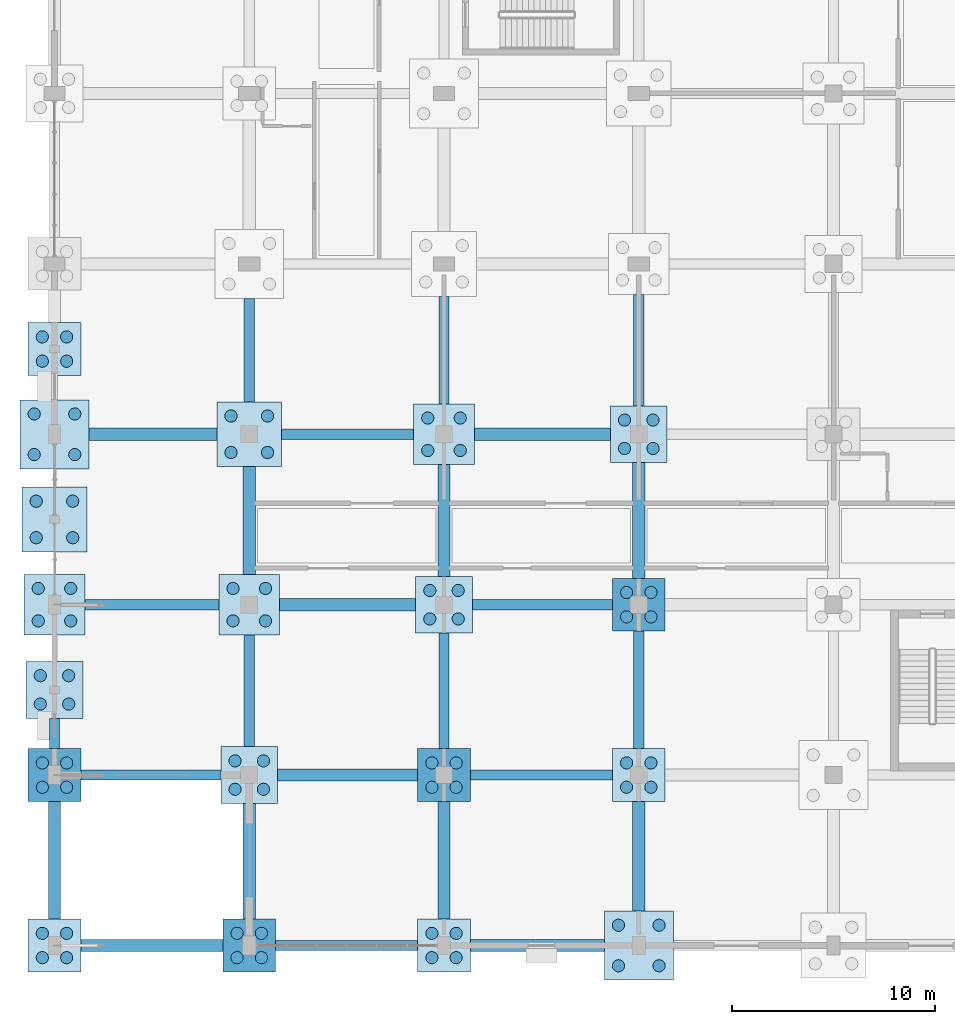
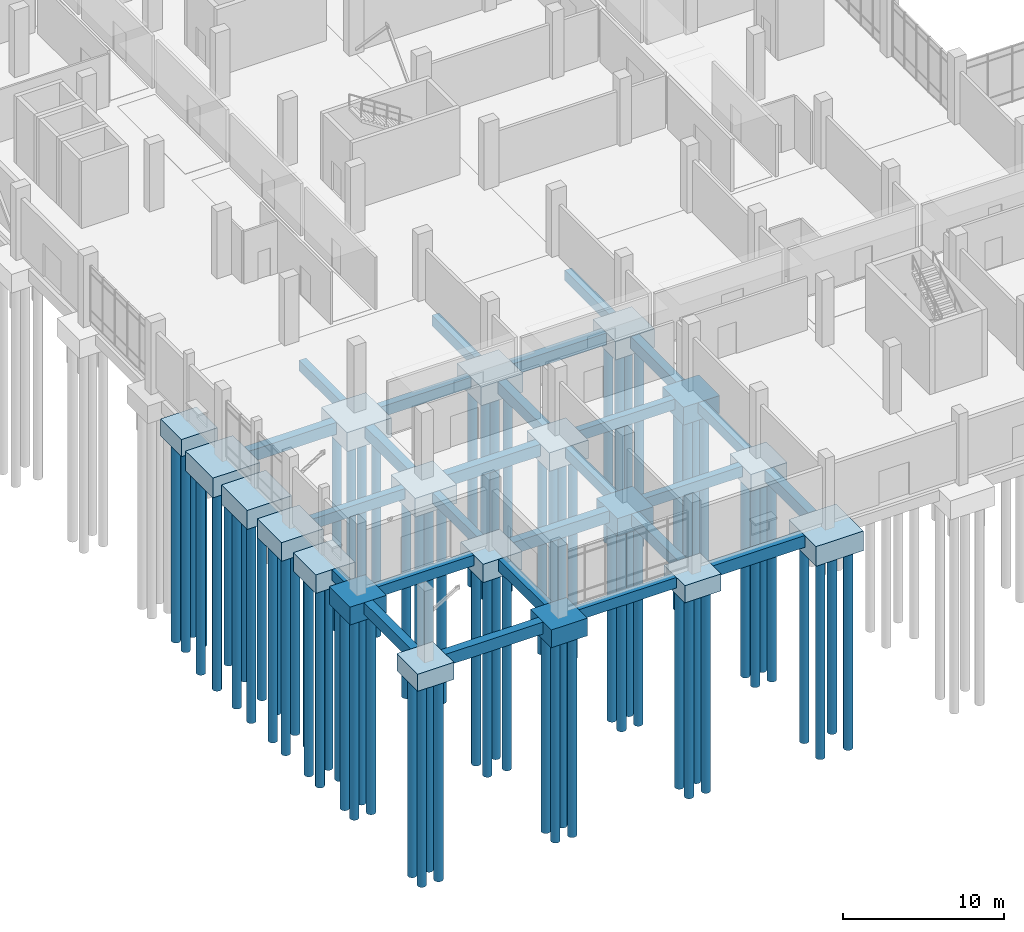
# One storey, part 1 of 136: 76 piles, 45 footings.
"""IFC4 building model written with IfcOpenShell, lengths in metres."""

from ifc_helpers import new_model, si_unit, direction, frame, origin, origin_2d, place, context, subcontext, project, spatial, rectangle, circle, extrude, material, material_profile, profile_set, type_object, element, save


model = new_model("IFC4")

# Units and contexts
model_context = context("Model", 3, precision=1e-05, world=origin(), true_north=direction((0.0, 1.0)))
body_context = subcontext(model_context, "Body", "Model", "MODEL_VIEW")
ifc_project = project(units=[si_unit("LENGTHUNIT", "METRE"), si_unit("AREAUNIT", "SQUARE_METRE"), si_unit("VOLUMEUNIT", "CUBIC_METRE"), si_unit("PLANEANGLEUNIT", "RADIAN"), si_unit("MASSUNIT", "GRAM", prefix="KILO")], contexts=[model_context])

# Site, building, storey
site_placement = place(None, origin())
site = spatial("IfcSite", under=ifc_project, at=site_placement, CompositionType="ELEMENT")
building_placement = place(site_placement, origin())
building = spatial("IfcBuilding", under=site, at=building_placement, Name="Oolite Switchyard Hospital", CompositionType="ELEMENT")
storey_placement = place(building_placement, origin())
storey = spatial("IfcBuildingStorey", under=building, at=storey_placement, Name="L00", CompositionType="ELEMENT", Elevation=0.0)

# Footings
ifc_material = material(Name="Concrete C40/50", Category="concrete")
footing_type_1 = type_object("IfcFootingType", Name="FTG-GB500X800", PredefinedType="FOOTING_BEAM", material=ifc_material)
footing_1_placement = place(storey_placement, frame((14.39990234375, 0.0, -1.14990234375), z_axis=(0.0, 0.0, 1.0), x_axis=(1.0, 0.0, 0.0)))
element("IfcFooting", 1, at=footing_1_placement, inside=storey, type_object=footing_type_1, Name="L00 Grade Beam 2", PredefinedType="FOOTING_BEAM", context=body_context, shape_type="SweptSolid", body=[
    extrude(rectangle(XDim=7.0, YDim=0.5, at=origin_2d()), origin(), (0.0, 0.0, 1.0), 0.800048828125),
])
footing_2_placement = place(storey_placement, frame((4.75, 8.39990234375, -1.14990234375), z_axis=(0.0, 0.0, 1.0), x_axis=(1.0, 0.0, 0.0)))
element("IfcFooting", 2, at=footing_2_placement, inside=storey, type_object=footing_type_1, Name="L00 Grade Beam 8", PredefinedType="FOOTING_BEAM", context=body_context, shape_type="SweptSolid", body=[
    extrude(rectangle(XDim=6.89990234375, YDim=0.5, at=origin_2d()), origin(), (0.0, 0.0, 1.0), 0.800048828125),
])
footing_3_placement = place(storey_placement, frame((24.0, 8.39990234375, -1.14990234375), z_axis=(0.0, 0.0, 1.0), x_axis=(1.0, 0.0, 0.0)))
element("IfcFooting", 3, at=footing_3_placement, inside=storey, type_object=footing_type_1, Name="L00 Grade Beam 10", PredefinedType="FOOTING_BEAM", context=body_context, shape_type="SweptSolid", body=[
    extrude(rectangle(XDim=7.0, YDim=0.5, at=origin_2d()), origin(), (0.0, 0.0, 1.0), 0.800048828125),
])
footing_4_placement = place(storey_placement, frame((4.800048828125, 16.800048828125, -1.14990234375), z_axis=(0.0, 0.0, 1.0), x_axis=(1.0, 0.0, 0.0)))
element("IfcFooting", 4, at=footing_4_placement, inside=storey, type_object=footing_type_1, Name="L00 Grade Beam 20", PredefinedType="FOOTING_BEAM", context=body_context, shape_type="SweptSolid", body=[
    extrude(rectangle(XDim=6.60009765625, YDim=0.5, at=origin_2d()), origin(), (0.0, 0.0, 1.0), 0.800048828125),
])
footing_5_placement = place(storey_placement, frame((24.050048828125, 16.800048828125, -1.14990234375), z_axis=(0.0, 0.0, 1.0), x_axis=(1.0, 0.0, 0.0)))
element("IfcFooting", 5, at=footing_5_placement, inside=storey, type_object=footing_type_1, Name="L00 Grade Beam 22", PredefinedType="FOOTING_BEAM", context=body_context, shape_type="SweptSolid", body=[
    extrude(rectangle(XDim=6.89990234375, YDim=0.5, at=origin_2d()), origin(), (0.0, 0.0, 1.0), 0.800048828125),
])
footing_6_placement = place(storey_placement, frame((14.449951171875, 25.199951171875, -1.14990234375), z_axis=(0.0, 0.0, 1.0), x_axis=(1.0, 0.0, 0.0)))
element("IfcFooting", 6, at=footing_6_placement, inside=storey, type_object=footing_type_1, Name="L00 Grade Beam 36", PredefinedType="FOOTING_BEAM", context=body_context, shape_type="SweptSolid", body=[
    extrude(rectangle(XDim=6.5, YDim=0.5, at=origin_2d()), origin(), (0.0, 0.0, 1.0), 0.800048828125),
])
footing_7_placement = place(storey_placement, frame((0.0, 10.449951171875, -1.14990234375), z_axis=(0.0, 0.0, 1.0), x_axis=(0.0, 1.0, 0.0)))
element("IfcFooting", 7, at=footing_7_placement, inside=storey, type_object=footing_type_1, Name="L00 Grade Beam 267", PredefinedType="FOOTING_BEAM", context=body_context, shape_type="SweptSolid", body=[
    extrude(rectangle(XDim=1.5, YDim=0.5, at=origin_2d()), origin(), (0.0, 0.0, 1.0), 0.800048828125),
])
footing_8_placement = place(storey_placement, frame((9.60009765625, 12.550048828125, -1.14990234375), z_axis=(0.0, 0.0, 1.0), x_axis=(0.0, 1.0, 0.0)))
element("IfcFooting", 8, at=footing_8_placement, inside=storey, type_object=footing_type_1, Name="L00 Grade Beam 281", PredefinedType="FOOTING_BEAM", context=body_context, shape_type="SweptSolid", body=[
    extrude(rectangle(XDim=5.5, YDim=0.5, at=origin_2d()), origin(), (0.0, 0.0, 1.0), 0.800048828125),
])
footing_9_placement = place(storey_placement, frame((9.60009765625, 29.35009765625, -1.14990234375), z_axis=(0.0, 0.0, 1.0), x_axis=(0.0, 1.0, 0.0)))
element("IfcFooting", 9, at=footing_9_placement, inside=storey, type_object=footing_type_1, Name="L00 Grade Beam 283", PredefinedType="FOOTING_BEAM", context=body_context, shape_type="SweptSolid", body=[
    extrude(rectangle(XDim=5.10009765625, YDim=0.5, at=origin_2d()), origin(), (0.0, 0.0, 1.0), 0.800048828125),
])
footing_10_placement = place(storey_placement, frame((19.199951171875, 12.550048828125, -1.14990234375), z_axis=(0.0, 0.0, 1.0), x_axis=(0.0, 1.0, 0.0)))
element("IfcFooting", 10, at=footing_10_placement, inside=storey, type_object=footing_type_1, Name="L00 Grade Beam 297", PredefinedType="FOOTING_BEAM", context=body_context, shape_type="SweptSolid", body=[
    extrude(rectangle(XDim=5.699951171875, YDim=0.5, at=origin_2d()), origin(), (0.0, 0.0, 1.0), 0.800048828125),
])
footing_11_placement = place(storey_placement, frame((19.199951171875, 29.35009765625, -1.14990234375), z_axis=(0.0, 0.0, 1.0), x_axis=(0.0, 1.0, 0.0)))
element("IfcFooting", 11, at=footing_11_placement, inside=storey, type_object=footing_type_1, Name="L00 Grade Beam 299", PredefinedType="FOOTING_BEAM", context=body_context, shape_type="SweptSolid", body=[
    extrude(rectangle(XDim=5.300048828125, YDim=0.5, at=origin_2d()), origin(), (0.0, 0.0, 1.0), 0.800048828125),
])
footing_12_placement = place(storey_placement, frame((28.800048828125, 12.60009765625, -1.14990234375), z_axis=(0.0, 0.0, 1.0), x_axis=(0.0, 1.0, 0.0)))
element("IfcFooting", 12, at=footing_12_placement, inside=storey, type_object=footing_type_1, Name="L00 Grade Beam 313", PredefinedType="FOOTING_BEAM", context=body_context, shape_type="SweptSolid", body=[
    extrude(rectangle(XDim=5.800048828125, YDim=0.5, at=origin_2d()), origin(), (0.0, 0.0, 1.0), 0.800048828125),
])
footing_13_placement = place(storey_placement, frame((28.800048828125, 29.35009765625, -1.14990234375), z_axis=(0.0, 0.0, 1.0), x_axis=(0.0, 1.0, 0.0)))
element("IfcFooting", 13, at=footing_13_placement, inside=storey, type_object=footing_type_1, Name="L00 Grade Beam 315", PredefinedType="FOOTING_BEAM", context=body_context, shape_type="SweptSolid", body=[
    extrude(rectangle(XDim=5.5, YDim=0.5, at=origin_2d()), origin(), (0.0, 0.0, 1.0), 0.800048828125),
])
footing_type_2 = type_object("IfcFootingType", Name="FTG-GB600X900", PredefinedType="FOOTING_BEAM", material=ifc_material)
footing_14_placement = place(storey_placement, frame((4.800048828125, 0.0, -1.25), z_axis=(0.0, 0.0, 1.0), x_axis=(1.0, 0.0, 0.0)))
element("IfcFooting", 14, at=footing_14_placement, inside=storey, type_object=footing_type_2, Name="L00 Grade Beam 1", PredefinedType="FOOTING_BEAM", context=body_context, shape_type="SweptSolid", body=[
    extrude(rectangle(XDim=7.0, YDim=0.60009765625, at=origin_2d()), origin(), (0.0, 0.0, 1.0), 0.89990234375),
])
footing_15_placement = place(storey_placement, frame((23.800048828125, 0.0, -1.25), z_axis=(0.0, 0.0, 1.0), x_axis=(1.0, 0.0, 0.0)))
element("IfcFooting", 15, at=footing_15_placement, inside=storey, type_object=footing_type_2, Name="L00 Grade Beam 3", PredefinedType="FOOTING_BEAM", context=body_context, shape_type="SweptSolid", body=[
    extrude(rectangle(XDim=6.60009765625, YDim=0.60009765625, at=origin_2d()), origin(), (0.0, 0.0, 1.0), 0.89990234375),
])
footing_16_placement = place(storey_placement, frame((14.449951171875, 8.39990234375, -1.25), z_axis=(0.0, 0.0, 1.0), x_axis=(1.0, 0.0, 0.0)))
element("IfcFooting", 16, at=footing_16_placement, inside=storey, type_object=footing_type_2, Name="L00 Grade Beam 9", PredefinedType="FOOTING_BEAM", context=body_context, shape_type="SweptSolid", body=[
    extrude(rectangle(XDim=6.89990234375, YDim=0.60009765625, at=origin_2d()), origin(), (0.0, 0.0, 1.0), 0.89990234375),
])
footing_17_placement = place(storey_placement, frame((14.449951171875, 16.800048828125, -1.25), z_axis=(0.0, 0.0, 1.0), x_axis=(1.0, 0.0, 0.0)))
element("IfcFooting", 17, at=footing_17_placement, inside=storey, type_object=footing_type_2, Name="L00 Grade Beam 21", PredefinedType="FOOTING_BEAM", context=body_context, shape_type="SweptSolid", body=[
    extrude(rectangle(XDim=6.699951171875, YDim=0.60009765625, at=origin_2d()), origin(), (0.0, 0.0, 1.0), 0.89990234375),
])
footing_18_placement = place(storey_placement, frame((4.85009765625, 25.199951171875, -1.25), z_axis=(0.0, 0.0, 1.0), x_axis=(1.0, 0.0, 0.0)))
element("IfcFooting", 18, at=footing_18_placement, inside=storey, type_object=footing_type_2, Name="L00 Grade Beam 35", PredefinedType="FOOTING_BEAM", context=body_context, shape_type="SweptSolid", body=[
    extrude(rectangle(XDim=6.300048828125, YDim=0.60009765625, at=origin_2d()), origin(), (0.0, 0.0, 1.0), 0.89990234375),
])
footing_19_placement = place(storey_placement, frame((24.050048828125, 25.199951171875, -1.25), z_axis=(0.0, 0.0, 1.0), x_axis=(1.0, 0.0, 0.0)))
element("IfcFooting", 19, at=footing_19_placement, inside=storey, type_object=footing_type_2, Name="L00 Grade Beam 37", PredefinedType="FOOTING_BEAM", context=body_context, shape_type="SweptSolid", body=[
    extrude(rectangle(XDim=6.699951171875, YDim=0.60009765625, at=origin_2d()), origin(), (0.0, 0.0, 1.0), 0.89990234375),
])
footing_20_placement = place(storey_placement, frame((0.0, 4.199951171875, -1.25), z_axis=(0.0, 0.0, 1.0), x_axis=(0.0, 1.0, 0.0)))
element("IfcFooting", 20, at=footing_20_placement, inside=storey, type_object=footing_type_2, Name="L00 Grade Beam 266", PredefinedType="FOOTING_BEAM", context=body_context, shape_type="SweptSolid", body=[
    extrude(rectangle(XDim=5.800048828125, YDim=0.60009765625, at=origin_2d()), origin(), (0.0, 0.0, 1.0), 0.89990234375),
])
footing_21_placement = place(storey_placement, frame((9.60009765625, 4.14990234375, -1.25), z_axis=(0.0, 0.0, 1.0), x_axis=(0.0, 1.0, 0.0)))
element("IfcFooting", 21, at=footing_21_placement, inside=storey, type_object=footing_type_2, Name="L00 Grade Beam 280", PredefinedType="FOOTING_BEAM", context=body_context, shape_type="SweptSolid", body=[
    extrude(rectangle(XDim=5.699951171875, YDim=0.60009765625, at=origin_2d()), origin(), (0.0, 0.0, 1.0), 0.89990234375),
])
footing_22_placement = place(storey_placement, frame((9.60009765625, 20.949951171875, -1.25), z_axis=(0.0, 0.0, 1.0), x_axis=(0.0, 1.0, 0.0)))
element("IfcFooting", 22, at=footing_22_placement, inside=storey, type_object=footing_type_2, Name="L00 Grade Beam 282", PredefinedType="FOOTING_BEAM", context=body_context, shape_type="SweptSolid", body=[
    extrude(rectangle(XDim=5.300048828125, YDim=0.60009765625, at=origin_2d()), origin(), (0.0, 0.0, 1.0), 0.89990234375),
])
footing_23_placement = place(storey_placement, frame((19.199951171875, 4.199951171875, -1.25), z_axis=(0.0, 0.0, 1.0), x_axis=(0.0, 1.0, 0.0)))
element("IfcFooting", 23, at=footing_23_placement, inside=storey, type_object=footing_type_2, Name="L00 Grade Beam 296", PredefinedType="FOOTING_BEAM", context=body_context, shape_type="SweptSolid", body=[
    extrude(rectangle(XDim=5.800048828125, YDim=0.60009765625, at=origin_2d()), origin(), (0.0, 0.0, 1.0), 0.89990234375),
])
footing_24_placement = place(storey_placement, frame((19.199951171875, 20.949951171875, -1.25), z_axis=(0.0, 0.0, 1.0), x_axis=(0.0, 1.0, 0.0)))
element("IfcFooting", 24, at=footing_24_placement, inside=storey, type_object=footing_type_2, Name="L00 Grade Beam 298", PredefinedType="FOOTING_BEAM", context=body_context, shape_type="SweptSolid", body=[
    extrude(rectangle(XDim=5.5, YDim=0.60009765625, at=origin_2d()), origin(), (0.0, 0.0, 1.0), 0.89990234375),
])
footing_25_placement = place(storey_placement, frame((28.800048828125, 4.39990234375, -1.25), z_axis=(0.0, 0.0, 1.0), x_axis=(0.0, 1.0, 0.0)))
element("IfcFooting", 25, at=footing_25_placement, inside=storey, type_object=footing_type_2, Name="L00 Grade Beam 312", PredefinedType="FOOTING_BEAM", context=body_context, shape_type="SweptSolid", body=[
    extrude(rectangle(XDim=5.39990234375, YDim=0.60009765625, at=origin_2d()), origin(), (0.0, 0.0, 1.0), 0.89990234375),
])
footing_26_placement = place(storey_placement, frame((28.800048828125, 20.949951171875, -1.25), z_axis=(0.0, 0.0, 1.0), x_axis=(0.0, 1.0, 0.0)))
element("IfcFooting", 26, at=footing_26_placement, inside=storey, type_object=footing_type_2, Name="L00 Grade Beam 314", PredefinedType="FOOTING_BEAM", context=body_context, shape_type="SweptSolid", body=[
    extrude(rectangle(XDim=5.699951171875, YDim=0.60009765625, at=origin_2d()), origin(), (0.0, 0.0, 1.0), 0.89990234375),
])
footing_type_3 = type_object("IfcFootingType", Name="FTG-PC24", PredefinedType="PILE_CAP", material=ifc_material)
for number, where, z_axis, x_axis, name in (
    (27, (0.0, 0.0, -1.64990234375), (0.0, 0.0, 1.0), (1.0, 0.0, 0.0), "L00 Multi-Pile Cap 1"),
    (28, (0.0, 29.39990234375, -1.64990234375), (0.0, 0.0, 1.0), (1.0, 0.0, 0.0), "L00 Multi-Pile Cap 7"),
    (29, (19.199951171875, 0.0, -1.64990234375), (0.0, 0.0, 1.0), (1.0, 0.0, 0.0), "L00 Multi-Pile Cap 37"),
    (30, (28.800048828125, 8.39990234375, -1.64990234375), (0.0, 0.0, 1.0), (1.0, 0.0, 0.0), "L00 Multi-Pile Cap 55"),
):
    element("IfcFooting", number, at=place(storey_placement, frame(where, z_axis=z_axis, x_axis=x_axis)), inside=storey, type_object=footing_type_3, Name=name, PredefinedType="PILE_CAP", context=body_context, shape_type="SweptSolid", body=[
        extrude(rectangle(XDim=2.60009765625, YDim=2.60009765625, at=origin_2d()), origin(), (0.0, 0.0, 1.0), 1.300048828125),
    ])
footing_type_4 = type_object("IfcFootingType", Name="FTG-PC26", PredefinedType="PILE_CAP", material=ifc_material)
for number, where, z_axis, x_axis, name in (
    (31, (0.0, 8.39990234375, -1.699951171875), (0.0, 0.0, 1.0), (1.0, 0.0, 0.0), "L00 Multi-Pile Cap 2"),
    (32, (9.60009765625, 0.0, -1.699951171875), (0.0, 0.0, 1.0), (1.0, 0.0, 0.0), "L00 Multi-Pile Cap 20"),
    (33, (19.199951171875, 8.39990234375, -1.699951171875), (0.0, 0.0, 1.0), (1.0, 0.0, 0.0), "L00 Multi-Pile Cap 38"),
    (34, (28.800048828125, 16.800048828125, -1.699951171875), (0.0, 0.0, 1.0), (1.0, 0.0, 0.0), "L00 Multi-Pile Cap 56"),
):
    element("IfcFooting", number, at=place(storey_placement, frame(where, z_axis=z_axis, x_axis=x_axis)), inside=storey, type_object=footing_type_4, Name=name, PredefinedType="PILE_CAP", context=body_context, shape_type="SweptSolid", body=[
        extrude(rectangle(XDim=2.60009765625, YDim=2.60009765625, at=origin_2d()), origin(), (0.0, 0.0, 1.0), 1.35009765625),
    ])
footing_type_5 = type_object("IfcFootingType", Name="FTG-PC28", PredefinedType="PILE_CAP", material=ifc_material)
for number, where, z_axis, x_axis, name in (
    (35, (0.0, 12.60009765625, -1.75), (0.0, 0.0, 1.0), (1.0, 0.0, 0.0), "L00 Multi-Pile Cap 3"),
    (36, (9.60009765625, 8.39990234375, -1.75), (0.0, 0.0, 1.0), (1.0, 0.0, 0.0), "L00 Multi-Pile Cap 21"),
    (37, (19.199951171875, 16.800048828125, -1.75), (0.0, 0.0, 1.0), (1.0, 0.0, 0.0), "L00 Multi-Pile Cap 39"),
    (38, (28.800048828125, 25.199951171875, -1.75), (0.0, 0.0, 1.0), (1.0, 0.0, 0.0), "L00 Multi-Pile Cap 57"),
):
    element("IfcFooting", number, at=place(storey_placement, frame(where, z_axis=z_axis, x_axis=x_axis)), inside=storey, type_object=footing_type_5, Name=name, PredefinedType="PILE_CAP", context=body_context, shape_type="SweptSolid", body=[
        extrude(rectangle(XDim=2.800048828125, YDim=2.800048828125, at=origin_2d()), origin(), (0.0, 0.0, 1.0), 1.39990234375),
    ])
footing_type_6 = type_object("IfcFootingType", Name="FTG-PC30", PredefinedType="PILE_CAP", material=ifc_material)
for number, where, z_axis, x_axis, name in (
    (39, (0.0, 16.800048828125, -1.77001953125), (0.0, 0.0, 1.0), (1.0, 0.0, 0.0), "L00 Multi-Pile Cap 4"),
    (40, (9.60009765625, 16.800048828125, -1.77001953125), (0.0, 0.0, 1.0), (1.0, 0.0, 0.0), "L00 Multi-Pile Cap 22"),
    (41, (19.199951171875, 25.199951171875, -1.77001953125), (0.0, 0.0, 1.0), (1.0, 0.0, 0.0), "L00 Multi-Pile Cap 40"),
):
    element("IfcFooting", number, at=place(storey_placement, frame(where, z_axis=z_axis, x_axis=x_axis)), inside=storey, type_object=footing_type_6, Name=name, PredefinedType="PILE_CAP", context=body_context, shape_type="SweptSolid", body=[
        extrude(rectangle(XDim=3.0, YDim=3.0, at=origin_2d()), origin(), (0.0, 0.0, 1.0), 1.419921875),
    ])
footing_type_7 = type_object("IfcFootingType", Name="FTG-PC32", PredefinedType="PILE_CAP", material=ifc_material)
for number, where, z_axis, x_axis, name in (
    (42, (0.0, 21.0, -1.7998046875), (0.0, 0.0, 1.0), (1.0, 0.0, 0.0), "L00 Multi-Pile Cap 5"),
    (43, (9.60009765625, 25.199951171875, -1.7998046875), (0.0, 0.0, 1.0), (1.0, 0.0, 0.0), "L00 Multi-Pile Cap 23"),
):
    element("IfcFooting", number, at=place(storey_placement, frame(where, z_axis=z_axis, x_axis=x_axis)), inside=storey, type_object=footing_type_7, Name=name, PredefinedType="PILE_CAP", context=body_context, shape_type="SweptSolid", body=[
        extrude(rectangle(XDim=3.199951171875, YDim=3.199951171875, at=origin_2d()), origin(), (0.0, 0.0, 1.0), 1.449951171875),
    ])
footing_type_8 = type_object("IfcFootingType", Name="FTG-PC34", PredefinedType="PILE_CAP", material=ifc_material)
for number, where, z_axis, x_axis, name in (
    (44, (0.0, 25.199951171875, -1.85009765625), (0.0, 0.0, 1.0), (1.0, 0.0, 0.0), "L00 Multi-Pile Cap 6"),
    (45, (28.800048828125, 0.0, -1.85009765625), (0.0, 0.0, 1.0), (1.0, 0.0, 0.0), "L00 Multi-Pile Cap 54"),
):
    element("IfcFooting", number, at=place(storey_placement, frame(where, z_axis=z_axis, x_axis=x_axis)), inside=storey, type_object=footing_type_8, Name=name, PredefinedType="PILE_CAP", context=body_context, shape_type="SweptSolid", body=[
        extrude(rectangle(XDim=3.39990234375, YDim=3.39990234375, at=origin_2d()), origin(), (0.0, 0.0, 1.0), 1.5),
    ])

# Piles
ifc_material_profile = material_profile(ifc_material, circle(Radius=0.300048828125, at=origin_2d()), Name="PILE600")
ifc_profile_set = profile_set([ifc_material_profile], Name="Concrete C40/50")
pile_type = type_object("IfcPileType", Name="PILE-ACIP600", PredefinedType="BORED", material=ifc_profile_set)
for number, where, z_axis, x_axis, name in (
    (46, (-0.60009765625, -0.60009765625, -1.5), (0.0, 0.0, -1.0), (1.0, 0.0, 0.0), "Augercast Pile 1"),
    (47, (0.60009765625, -0.60009765625, -1.5), (0.0, 0.0, -1.0), (1.0, 0.0, 0.0), "Augercast Pile 2"),
    (48, (-0.60009765625, 0.60009765625, -1.5), (0.0, 0.0, -1.0), (1.0, 0.0, 0.0), "Augercast Pile 3"),
    (49, (0.60009765625, 0.60009765625, -1.5), (0.0, 0.0, -1.0), (1.0, 0.0, 0.0), "Augercast Pile 4"),
):
    element("IfcPile", number, at=place(storey_placement, frame(where, z_axis=z_axis, x_axis=x_axis)), inside=storey, type_object=pile_type, Name=name, PredefinedType="BORED", context=body_context, shape_type="SweptSolid", body=[
        extrude(circle(Radius=0.300048828125, at=origin_2d()), origin(), (0.0, 0.0, 1.0), 15.5),
    ])
for number, where, z_axis, x_axis, name in (
    (50, (-0.60009765625, 7.800048828125, -1.550048828125), (0.0, 0.0, -1.0), (1.0, 0.0, 0.0), "Augercast Pile 5"),
    (51, (0.60009765625, 7.800048828125, -1.550048828125), (0.0, 0.0, -1.0), (1.0, 0.0, 0.0), "Augercast Pile 6"),
    (52, (-0.60009765625, 9.0, -1.550048828125), (0.0, 0.0, -1.0), (1.0, 0.0, 0.0), "Augercast Pile 7"),
    (53, (0.60009765625, 9.0, -1.550048828125), (0.0, 0.0, -1.0), (1.0, 0.0, 0.0), "Augercast Pile 8"),
):
    element("IfcPile", number, at=place(storey_placement, frame(where, z_axis=z_axis, x_axis=x_axis)), inside=storey, type_object=pile_type, Name=name, PredefinedType="BORED", context=body_context, shape_type="SweptSolid", body=[
        extrude(circle(Radius=0.300048828125, at=origin_2d()), origin(), (0.0, 0.0, 1.0), 15.449951171875),
    ])
for number, where, z_axis, x_axis, name in (
    (54, (-0.699951171875, 11.89990234375, -1.60009765625), (0.0, 0.0, -1.0), (1.0, 0.0, 0.0), "Augercast Pile 9"),
    (55, (0.699951171875, 11.89990234375, -1.60009765625), (0.0, 0.0, -1.0), (1.0, 0.0, 0.0), "Augercast Pile 10"),
    (56, (-0.699951171875, 13.300048828125, -1.60009765625), (0.0, 0.0, -1.0), (1.0, 0.0, 0.0), "Augercast Pile 11"),
    (57, (0.699951171875, 13.300048828125, -1.60009765625), (0.0, 0.0, -1.0), (1.0, 0.0, 0.0), "Augercast Pile 12"),
):
    element("IfcPile", number, at=place(storey_placement, frame(where, z_axis=z_axis, x_axis=x_axis)), inside=storey, type_object=pile_type, Name=name, PredefinedType="BORED", context=body_context, shape_type="SweptSolid", body=[
        extrude(circle(Radius=0.300048828125, at=origin_2d()), origin(), (0.0, 0.0, 1.0), 15.39990234375),
    ])
for number, where, z_axis, x_axis, name in (
    (58, (-0.800048828125, 16.0, -1.6201171875), (0.0, 0.0, -1.0), (1.0, 0.0, 0.0), "Augercast Pile 13"),
    (59, (0.800048828125, 16.0, -1.6201171875), (0.0, 0.0, -1.0), (1.0, 0.0, 0.0), "Augercast Pile 14"),
    (60, (-0.800048828125, 17.60009765625, -1.6201171875), (0.0, 0.0, -1.0), (1.0, 0.0, 0.0), "Augercast Pile 15"),
    (61, (0.800048828125, 17.60009765625, -1.6201171875), (0.0, 0.0, -1.0), (1.0, 0.0, 0.0), "Augercast Pile 16"),
):
    element("IfcPile", number, at=place(storey_placement, frame(where, z_axis=z_axis, x_axis=x_axis)), inside=storey, type_object=pile_type, Name=name, PredefinedType="BORED", context=body_context, shape_type="SweptSolid", body=[
        extrude(circle(Radius=0.300048828125, at=origin_2d()), origin(), (0.0, 0.0, 1.0), 15.3798828125),
    ])
for number, where, z_axis, x_axis, name in (
    (62, (-0.89990234375, 20.10009765625, -1.64990234375), (0.0, 0.0, -1.0), (1.0, 0.0, 0.0), "Augercast Pile 17"),
    (63, (0.89990234375, 20.10009765625, -1.64990234375), (0.0, 0.0, -1.0), (1.0, 0.0, 0.0), "Augercast Pile 18"),
    (64, (-0.89990234375, 21.89990234375, -1.64990234375), (0.0, 0.0, -1.0), (1.0, 0.0, 0.0), "Augercast Pile 19"),
    (65, (0.89990234375, 21.89990234375, -1.64990234375), (0.0, 0.0, -1.0), (1.0, 0.0, 0.0), "Augercast Pile 20"),
):
    element("IfcPile", number, at=place(storey_placement, frame(where, z_axis=z_axis, x_axis=x_axis)), inside=storey, type_object=pile_type, Name=name, PredefinedType="BORED", context=body_context, shape_type="SweptSolid", body=[
        extrude(circle(Radius=0.300048828125, at=origin_2d()), origin(), (0.0, 0.0, 1.0), 15.35009765625),
    ])
for number, where, z_axis, x_axis, name in (
    (66, (-1.0, 24.199951171875, -1.699951171875), (0.0, 0.0, -1.0), (1.0, 0.0, 0.0), "Augercast Pile 21"),
    (67, (1.0, 24.199951171875, -1.699951171875), (0.0, 0.0, -1.0), (1.0, 0.0, 0.0), "Augercast Pile 22"),
    (68, (-1.0, 26.199951171875, -1.699951171875), (0.0, 0.0, -1.0), (1.0, 0.0, 0.0), "Augercast Pile 23"),
    (69, (1.0, 26.199951171875, -1.699951171875), (0.0, 0.0, -1.0), (1.0, 0.0, 0.0), "Augercast Pile 24"),
):
    element("IfcPile", number, at=place(storey_placement, frame(where, z_axis=z_axis, x_axis=x_axis)), inside=storey, type_object=pile_type, Name=name, PredefinedType="BORED", context=body_context, shape_type="SweptSolid", body=[
        extrude(circle(Radius=0.300048828125, at=origin_2d()), origin(), (0.0, 0.0, 1.0), 15.300048828125),
    ])
for number, where, z_axis, x_axis, name in (
    (70, (-0.60009765625, 28.800048828125, -1.5), (0.0, 0.0, -1.0), (1.0, 0.0, 0.0), "Augercast Pile 25"),
    (71, (0.60009765625, 28.800048828125, -1.5), (0.0, 0.0, -1.0), (1.0, 0.0, 0.0), "Augercast Pile 26"),
    (72, (-0.60009765625, 30.0, -1.5), (0.0, 0.0, -1.0), (1.0, 0.0, 0.0), "Augercast Pile 27"),
    (73, (0.60009765625, 30.0, -1.5), (0.0, 0.0, -1.0), (1.0, 0.0, 0.0), "Augercast Pile 28"),
):
    element("IfcPile", number, at=place(storey_placement, frame(where, z_axis=z_axis, x_axis=x_axis)), inside=storey, type_object=pile_type, Name=name, PredefinedType="BORED", context=body_context, shape_type="SweptSolid", body=[
        extrude(circle(Radius=0.300048828125, at=origin_2d()), origin(), (0.0, 0.0, 1.0), 15.5),
    ])
for number, where, z_axis, x_axis, name in (
    (74, (9.0, -0.60009765625, -1.550048828125), (0.0, 0.0, -1.0), (1.0, 0.0, 0.0), "Augercast Pile 77"),
    (75, (10.199951171875, -0.60009765625, -1.550048828125), (0.0, 0.0, -1.0), (1.0, 0.0, 0.0), "Augercast Pile 78"),
    (76, (9.0, 0.60009765625, -1.550048828125), (0.0, 0.0, -1.0), (1.0, 0.0, 0.0), "Augercast Pile 79"),
    (77, (10.199951171875, 0.60009765625, -1.550048828125), (0.0, 0.0, -1.0), (1.0, 0.0, 0.0), "Augercast Pile 80"),
):
    element("IfcPile", number, at=place(storey_placement, frame(where, z_axis=z_axis, x_axis=x_axis)), inside=storey, type_object=pile_type, Name=name, PredefinedType="BORED", context=body_context, shape_type="SweptSolid", body=[
        extrude(circle(Radius=0.300048828125, at=origin_2d()), origin(), (0.0, 0.0, 1.0), 15.449951171875),
    ])
for number, where, z_axis, x_axis, name in (
    (78, (8.89990234375, 7.699951171875, -1.60009765625), (0.0, 0.0, -1.0), (1.0, 0.0, 0.0), "Augercast Pile 81"),
    (79, (10.300048828125, 7.699951171875, -1.60009765625), (0.0, 0.0, -1.0), (1.0, 0.0, 0.0), "Augercast Pile 82"),
    (80, (8.89990234375, 9.10009765625, -1.60009765625), (0.0, 0.0, -1.0), (1.0, 0.0, 0.0), "Augercast Pile 83"),
    (81, (10.300048828125, 9.10009765625, -1.60009765625), (0.0, 0.0, -1.0), (1.0, 0.0, 0.0), "Augercast Pile 84"),
):
    element("IfcPile", number, at=place(storey_placement, frame(where, z_axis=z_axis, x_axis=x_axis)), inside=storey, type_object=pile_type, Name=name, PredefinedType="BORED", context=body_context, shape_type="SweptSolid", body=[
        extrude(circle(Radius=0.300048828125, at=origin_2d()), origin(), (0.0, 0.0, 1.0), 15.39990234375),
    ])
for number, where, z_axis, x_axis, name in (
    (82, (8.800048828125, 16.0, -1.6201171875), (0.0, 0.0, -1.0), (1.0, 0.0, 0.0), "Augercast Pile 85"),
    (83, (10.39990234375, 16.0, -1.6201171875), (0.0, 0.0, -1.0), (1.0, 0.0, 0.0), "Augercast Pile 86"),
    (84, (8.800048828125, 17.60009765625, -1.6201171875), (0.0, 0.0, -1.0), (1.0, 0.0, 0.0), "Augercast Pile 87"),
    (85, (10.39990234375, 17.60009765625, -1.6201171875), (0.0, 0.0, -1.0), (1.0, 0.0, 0.0), "Augercast Pile 88"),
):
    element("IfcPile", number, at=place(storey_placement, frame(where, z_axis=z_axis, x_axis=x_axis)), inside=storey, type_object=pile_type, Name=name, PredefinedType="BORED", context=body_context, shape_type="SweptSolid", body=[
        extrude(circle(Radius=0.300048828125, at=origin_2d()), origin(), (0.0, 0.0, 1.0), 15.3798828125),
    ])
for number, where, z_axis, x_axis, name in (
    (86, (8.699951171875, 24.300048828125, -1.64990234375), (0.0, 0.0, -1.0), (1.0, 0.0, 0.0), "Augercast Pile 89"),
    (87, (10.5, 24.300048828125, -1.64990234375), (0.0, 0.0, -1.0), (1.0, 0.0, 0.0), "Augercast Pile 90"),
    (88, (8.699951171875, 26.10009765625, -1.64990234375), (0.0, 0.0, -1.0), (1.0, 0.0, 0.0), "Augercast Pile 91"),
    (89, (10.5, 26.10009765625, -1.64990234375), (0.0, 0.0, -1.0), (1.0, 0.0, 0.0), "Augercast Pile 92"),
):
    element("IfcPile", number, at=place(storey_placement, frame(where, z_axis=z_axis, x_axis=x_axis)), inside=storey, type_object=pile_type, Name=name, PredefinedType="BORED", context=body_context, shape_type="SweptSolid", body=[
        extrude(circle(Radius=0.300048828125, at=origin_2d()), origin(), (0.0, 0.0, 1.0), 15.35009765625),
    ])
for number, where, z_axis, x_axis, name in (
    (90, (18.60009765625, -0.60009765625, -1.5), (0.0, 0.0, -1.0), (1.0, 0.0, 0.0), "Augercast Pile 145"),
    (91, (19.800048828125, -0.60009765625, -1.5), (0.0, 0.0, -1.0), (1.0, 0.0, 0.0), "Augercast Pile 146"),
    (92, (18.60009765625, 0.60009765625, -1.5), (0.0, 0.0, -1.0), (1.0, 0.0, 0.0), "Augercast Pile 147"),
    (93, (19.800048828125, 0.60009765625, -1.5), (0.0, 0.0, -1.0), (1.0, 0.0, 0.0), "Augercast Pile 148"),
):
    element("IfcPile", number, at=place(storey_placement, frame(where, z_axis=z_axis, x_axis=x_axis)), inside=storey, type_object=pile_type, Name=name, PredefinedType="BORED", context=body_context, shape_type="SweptSolid", body=[
        extrude(circle(Radius=0.300048828125, at=origin_2d()), origin(), (0.0, 0.0, 1.0), 15.5),
    ])
for number, where, z_axis, x_axis, name in (
    (94, (18.60009765625, 7.800048828125, -1.550048828125), (0.0, 0.0, -1.0), (1.0, 0.0, 0.0), "Augercast Pile 149"),
    (95, (19.800048828125, 7.800048828125, -1.550048828125), (0.0, 0.0, -1.0), (1.0, 0.0, 0.0), "Augercast Pile 150"),
    (96, (18.60009765625, 9.0, -1.550048828125), (0.0, 0.0, -1.0), (1.0, 0.0, 0.0), "Augercast Pile 151"),
    (97, (19.800048828125, 9.0, -1.550048828125), (0.0, 0.0, -1.0), (1.0, 0.0, 0.0), "Augercast Pile 152"),
):
    element("IfcPile", number, at=place(storey_placement, frame(where, z_axis=z_axis, x_axis=x_axis)), inside=storey, type_object=pile_type, Name=name, PredefinedType="BORED", context=body_context, shape_type="SweptSolid", body=[
        extrude(circle(Radius=0.300048828125, at=origin_2d()), origin(), (0.0, 0.0, 1.0), 15.449951171875),
    ])
for number, where, z_axis, x_axis, name in (
    (98, (18.5, 16.10009765625, -1.60009765625), (0.0, 0.0, -1.0), (1.0, 0.0, 0.0), "Augercast Pile 153"),
    (99, (19.89990234375, 16.10009765625, -1.60009765625), (0.0, 0.0, -1.0), (1.0, 0.0, 0.0), "Augercast Pile 154"),
    (100, (18.5, 17.5, -1.60009765625), (0.0, 0.0, -1.0), (1.0, 0.0, 0.0), "Augercast Pile 155"),
    (101, (19.89990234375, 17.5, -1.60009765625), (0.0, 0.0, -1.0), (1.0, 0.0, 0.0), "Augercast Pile 156"),
):
    element("IfcPile", number, at=place(storey_placement, frame(where, z_axis=z_axis, x_axis=x_axis)), inside=storey, type_object=pile_type, Name=name, PredefinedType="BORED", context=body_context, shape_type="SweptSolid", body=[
        extrude(circle(Radius=0.300048828125, at=origin_2d()), origin(), (0.0, 0.0, 1.0), 15.39990234375),
    ])
for number, where, z_axis, x_axis, name in (
    (102, (18.39990234375, 24.39990234375, -1.6201171875), (0.0, 0.0, -1.0), (1.0, 0.0, 0.0), "Augercast Pile 157"),
    (103, (20.0, 24.39990234375, -1.6201171875), (0.0, 0.0, -1.0), (1.0, 0.0, 0.0), "Augercast Pile 158"),
    (104, (18.39990234375, 26.0, -1.6201171875), (0.0, 0.0, -1.0), (1.0, 0.0, 0.0), "Augercast Pile 159"),
    (105, (20.0, 26.0, -1.6201171875), (0.0, 0.0, -1.0), (1.0, 0.0, 0.0), "Augercast Pile 160"),
):
    element("IfcPile", number, at=place(storey_placement, frame(where, z_axis=z_axis, x_axis=x_axis)), inside=storey, type_object=pile_type, Name=name, PredefinedType="BORED", context=body_context, shape_type="SweptSolid", body=[
        extrude(circle(Radius=0.300048828125, at=origin_2d()), origin(), (0.0, 0.0, 1.0), 15.3798828125),
    ])
for number, where, z_axis, x_axis, name in (
    (106, (27.800048828125, -1.0, -1.699951171875), (0.0, 0.0, -1.0), (1.0, 0.0, 0.0), "Augercast Pile 213"),
    (107, (29.800048828125, -1.0, -1.699951171875), (0.0, 0.0, -1.0), (1.0, 0.0, 0.0), "Augercast Pile 214"),
    (108, (27.800048828125, 1.0, -1.699951171875), (0.0, 0.0, -1.0), (1.0, 0.0, 0.0), "Augercast Pile 215"),
    (109, (29.800048828125, 1.0, -1.699951171875), (0.0, 0.0, -1.0), (1.0, 0.0, 0.0), "Augercast Pile 216"),
):
    element("IfcPile", number, at=place(storey_placement, frame(where, z_axis=z_axis, x_axis=x_axis)), inside=storey, type_object=pile_type, Name=name, PredefinedType="BORED", context=body_context, shape_type="SweptSolid", body=[
        extrude(circle(Radius=0.300048828125, at=origin_2d()), origin(), (0.0, 0.0, 1.0), 15.300048828125),
    ])
for number, where, z_axis, x_axis, name in (
    (110, (28.199951171875, 7.800048828125, -1.5), (0.0, 0.0, -1.0), (1.0, 0.0, 0.0), "Augercast Pile 217"),
    (111, (29.39990234375, 7.800048828125, -1.5), (0.0, 0.0, -1.0), (1.0, 0.0, 0.0), "Augercast Pile 218"),
    (112, (28.199951171875, 9.0, -1.5), (0.0, 0.0, -1.0), (1.0, 0.0, 0.0), "Augercast Pile 219"),
    (113, (29.39990234375, 9.0, -1.5), (0.0, 0.0, -1.0), (1.0, 0.0, 0.0), "Augercast Pile 220"),
):
    element("IfcPile", number, at=place(storey_placement, frame(where, z_axis=z_axis, x_axis=x_axis)), inside=storey, type_object=pile_type, Name=name, PredefinedType="BORED", context=body_context, shape_type="SweptSolid", body=[
        extrude(circle(Radius=0.300048828125, at=origin_2d()), origin(), (0.0, 0.0, 1.0), 15.5),
    ])
for number, where, z_axis, x_axis, name in (
    (114, (28.199951171875, 16.199951171875, -1.550048828125), (0.0, 0.0, -1.0), (1.0, 0.0, 0.0), "Augercast Pile 221"),
    (115, (29.39990234375, 16.199951171875, -1.550048828125), (0.0, 0.0, -1.0), (1.0, 0.0, 0.0), "Augercast Pile 222"),
    (116, (28.199951171875, 17.39990234375, -1.550048828125), (0.0, 0.0, -1.0), (1.0, 0.0, 0.0), "Augercast Pile 223"),
    (117, (29.39990234375, 17.39990234375, -1.550048828125), (0.0, 0.0, -1.0), (1.0, 0.0, 0.0), "Augercast Pile 224"),
):
    element("IfcPile", number, at=place(storey_placement, frame(where, z_axis=z_axis, x_axis=x_axis)), inside=storey, type_object=pile_type, Name=name, PredefinedType="BORED", context=body_context, shape_type="SweptSolid", body=[
        extrude(circle(Radius=0.300048828125, at=origin_2d()), origin(), (0.0, 0.0, 1.0), 15.449951171875),
    ])
for number, where, z_axis, x_axis, name in (
    (118, (28.10009765625, 24.5, -1.60009765625), (0.0, 0.0, -1.0), (1.0, 0.0, 0.0), "Augercast Pile 225"),
    (119, (29.5, 24.5, -1.60009765625), (0.0, 0.0, -1.0), (1.0, 0.0, 0.0), "Augercast Pile 226"),
    (120, (28.10009765625, 25.89990234375, -1.60009765625), (0.0, 0.0, -1.0), (1.0, 0.0, 0.0), "Augercast Pile 227"),
    (121, (29.5, 25.89990234375, -1.60009765625), (0.0, 0.0, -1.0), (1.0, 0.0, 0.0), "Augercast Pile 228"),
):
    element("IfcPile", number, at=place(storey_placement, frame(where, z_axis=z_axis, x_axis=x_axis)), inside=storey, type_object=pile_type, Name=name, PredefinedType="BORED", context=body_context, shape_type="SweptSolid", body=[
        extrude(circle(Radius=0.300048828125, at=origin_2d()), origin(), (0.0, 0.0, 1.0), 15.39990234375),
    ])

save(model, "model.ifc")
